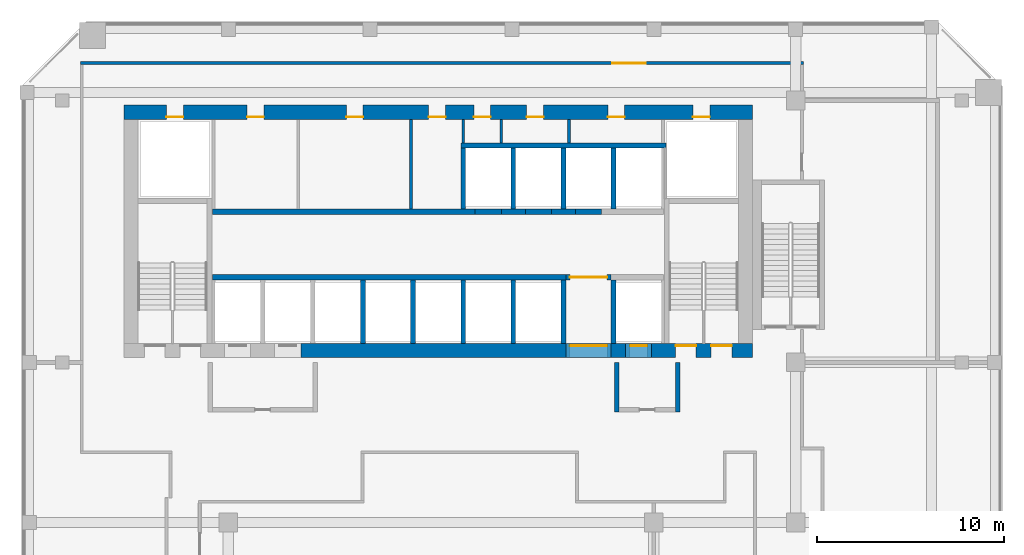
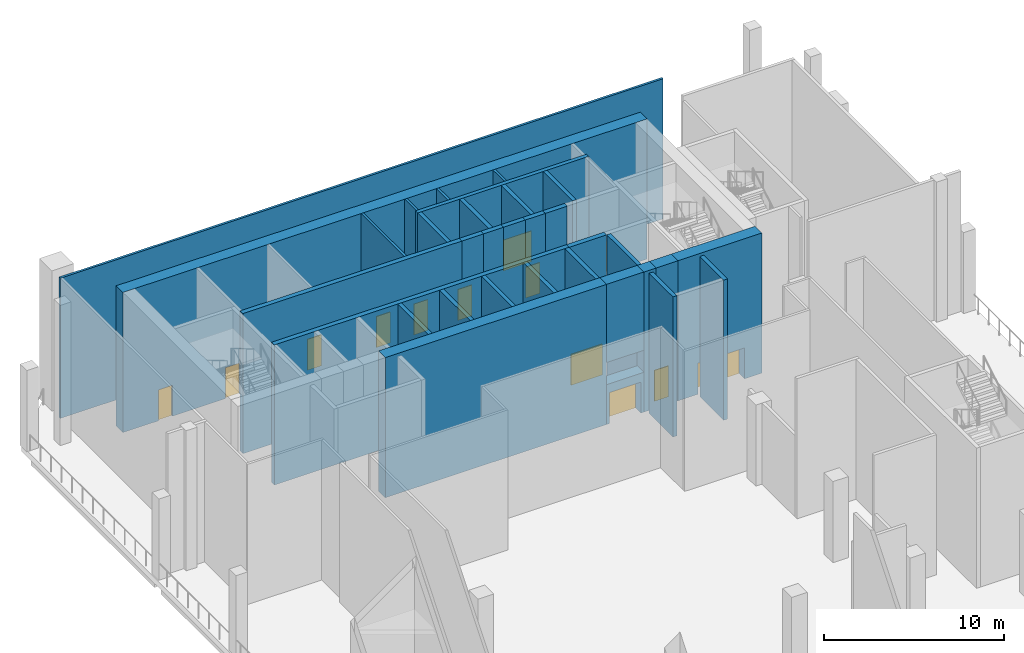
# One storey, part 4 of 12: 34 walls, 14 doors, 14 openings.
"""IFC4 building model written with IfcOpenShell, lengths in metres."""

from ifc_helpers import new_model, si_unit, direction, frame, frame_2d, origin, place, context, subcontext, project, spatial, rectangle, extrude, source, transform, mapped, material, layer, layer_set, type_object, element, fill, save


model = new_model("IFC4")

# Units and contexts
model_context = context("Model", 3, precision=1e-05, world=origin(), true_north=direction((0.0, 1.0)))
body_context = subcontext(model_context, "Body", "Model", "MODEL_VIEW")
ifc_project = project(units=[si_unit("LENGTHUNIT", "METRE"), si_unit("AREAUNIT", "SQUARE_METRE"), si_unit("VOLUMEUNIT", "CUBIC_METRE"), si_unit("PLANEANGLEUNIT", "RADIAN"), si_unit("MASSUNIT", "GRAM", prefix="KILO")], contexts=[model_context])

# Site, building, storey
site_placement = place(None, origin())
site = spatial("IfcSite", under=ifc_project, at=site_placement, CompositionType="ELEMENT")
building_placement = place(site_placement, origin())
building = spatial("IfcBuilding", under=site, at=building_placement, Name="Kilnfold Tower and Market Hall", CompositionType="ELEMENT")
storey_placement = place(building_placement, frame((0.0, 0.0, 223.699951171875)))
storey = spatial("IfcBuildingStorey", under=building, at=storey_placement, Name="L55 Refuge Wind Floor", CompositionType="ELEMENT", Elevation=223.699951171875)

# Wall, opening, door
ifc_material_1 = material(Name="Gypsum board on steel studs", Category="steel")
ifc_layer_1 = layer(ifc_material_1, 0.14990234375)
ifc_layer_set_1 = layer_set([ifc_layer_1], Name="Gypsum board on steel studs")
wall_type_1 = type_object("IfcWallType", Name="WALL CORRIDOR 150", PredefinedType="PARTITIONING", material=ifc_layer_set_1)
wall_1_placement = place(storey_placement, frame((20.574951171875, 24.0, 0.0), z_axis=(0.0, 0.0, 1.0), x_axis=(-1.0, 0.0, 0.0)))
wall_1 = element("IfcWall", 1, at=wall_1_placement, inside=storey, type_object=wall_type_1, Name="Partition LY33.24", PredefinedType="PARTITIONING", context=body_context, shape_type="SweptSolid", body=[
    extrude(rectangle(XDim=38.64990234375, YDim=0.14990234375, at=frame_2d((19.324951171875, 0.0))), origin(), (0.0, 0.0, 1.0), 9.5),
])
opening_1_placement = place(wall_1_placement, frame((8.410888671875, 0.0, 0.0)))
opening_1 = element("IfcOpeningElement", 2, at=opening_1_placement, cuts=wall_1, Name="Opening D5", PredefinedType="OPENING", context=body_context, shape_type="SweptSolid", body=[
    extrude(rectangle(XDim=1.800048828125, YDim=2.10009765625, at=frame_2d((0.89990234375, 1.050048828125))), frame((0.0, 0.0849609375, 0.0), z_axis=(0.0, -1.0, 0.0), x_axis=(1.0, 0.0, 0.0)), (0.0, 0.0, 1.0), 0.169921875),
])
ifc_material_2 = material(Name="Timber veneer door leaf in steel frame", Category="steel")
door_type_1 = type_object("IfcDoorType", Name="DOOR DOUBLE 1800 X2100", OperationType="NOTDEFINED", PredefinedType="DOOR", material=ifc_material_2)
door_1_placement = place(opening_1_placement, origin())
door_1 = element("IfcDoor", 3, at=door_1_placement, inside=storey, type_object=door_type_1, Name="Door D5", OperationType="DOUBLE_DOOR_SINGLE_SWING", OverallHeight=2.10009765625, OverallWidth=1.800048828125, PredefinedType="DOOR", context=body_context, shape_type="SweptSolid", body=[
    extrude(rectangle(XDim=1.800048828125, YDim=2.10009765625, at=frame_2d((0.89990234375, 1.050048828125))), frame((0.0, 0.02490234375, 0.0), z_axis=(0.0, -1.0, 0.0), x_axis=(1.0, 0.0, 0.0)), (0.0, 0.0, 1.0), 0.050048828125),
])
fill(opening_1, door_1)

# Walls
ifc_material_3 = material(Name="Concrete C60", Category="concrete")
ifc_layer_2 = layer(ifc_material_3, 0.300048828125)
ifc_layer_set_2 = layer_set([ifc_layer_2], Name="Concrete C60")
wall_type_2 = type_object("IfcWallType", Name="CORE WALL 300 C60", PredefinedType="SHEAR", material=ifc_layer_set_2)
shared_shape_1 = source(origin(), body_context, "Body", "SweptSolid", [
    extrude(rectangle(XDim=18.89990234375, YDim=0.300048828125, at=frame_2d((9.449951171875, 0.0))), origin(), (0.0, 0.0, 1.0), 9.5),
])
wall_2_placement = place(storey_placement, frame((-11.010009765625, 12.550048828125, 0.0), z_axis=(0.0, 0.0, 1.0), x_axis=(1.0, 0.0, 0.0)))
element("IfcWall", 4, at=wall_2_placement, inside=storey, type_object=wall_type_2, Name="Core spine wall", PredefinedType="SHEAR", context=body_context, shape_type="MappedRepresentation", body=[
    mapped(shared_shape_1, transform((0.0, 0.0, 0.0))),
])
shared_shape_2 = source(origin(), body_context, "Body", "SweptSolid", [
    extrude(rectangle(XDim=1.280029296875, YDim=0.300048828125, at=frame_2d((0.64013671875, 0.0))), origin(), (0.0, 0.0, 1.0), 9.5),
])
wall_3_placement = place(storey_placement, frame((4.429931640625, 16.050048828125, 0.0), z_axis=(0.0, 0.0, 1.0), x_axis=(1.0, 0.0, 0.0)))
element("IfcWall", 5, at=wall_3_placement, inside=storey, type_object=wall_type_2, Name="Core spine wall", PredefinedType="SHEAR", context=body_context, shape_type="MappedRepresentation", body=[
    mapped(shared_shape_2, transform((0.0, 0.0, 0.0))),
])
shared_shape_3 = source(origin(), body_context, "Body", "SweptSolid", [
    extrude(rectangle(XDim=1.27978515625, YDim=0.300048828125, at=frame_2d((0.639892578125, 0.0))), origin(), (0.0, 0.0, 1.0), 9.5),
])
wall_4_placement = place(storey_placement, frame((7.110107421875, 16.050048828125, 0.0), z_axis=(0.0, 0.0, 1.0), x_axis=(1.0, 0.0, 0.0)))
element("IfcWall", 6, at=wall_4_placement, inside=storey, type_object=wall_type_2, Name="Core spine wall", PredefinedType="SHEAR", context=body_context, shape_type="MappedRepresentation", body=[
    mapped(shared_shape_3, transform((0.0, 0.0, 0.0))),
])
ifc_material_4 = material(Name="Concrete C60", Category="concrete")
ifc_layer_3 = layer(ifc_material_4, 0.75)
ifc_layer_set_3 = layer_set([ifc_layer_3], Name="Concrete C60")
wall_type_3 = type_object("IfcWallType", Name="CORE WALL 750 C60", PredefinedType="SHEAR", material=ifc_layer_set_3)
shared_shape_4 = source(origin(), body_context, "Body", "SweptSolid", [
    extrude(rectangle(XDim=14.179931640625, YDim=0.75, at=frame_2d((7.08984375, 0.0))), origin(), (0.0, 0.0, 1.0), 9.5),
])
wall_5_placement = place(storey_placement, frame((-6.2900390625, 8.625, 0.0), z_axis=(0.0, 0.0, 1.0), x_axis=(1.0, 0.0, 0.0)))
element("IfcWall", 7, at=wall_5_placement, inside=storey, type_object=wall_type_3, Name="Core outer wall south", PredefinedType="SHEAR", context=body_context, shape_type="MappedRepresentation", body=[
    mapped(shared_shape_4, transform((0.0, 0.0, 0.0))),
])
shared_shape_5 = source(origin(), body_context, "Body", "SweptSolid", [
    extrude(rectangle(XDim=0.780029296875, YDim=0.75, at=frame_2d((0.39013671875, 0.0))), origin(), (0.0, 0.0, 1.0), 9.5),
])
wall_6_placement = place(storey_placement, frame((10.2900390625, 8.625, 0.0), z_axis=(0.0, 0.0, 1.0), x_axis=(1.0, 0.0, 0.0)))
element("IfcWall", 8, at=wall_6_placement, inside=storey, type_object=wall_type_3, Name="Core outer wall south", PredefinedType="SHEAR", context=body_context, shape_type="MappedRepresentation", body=[
    mapped(shared_shape_5, transform((0.0, 0.0, 0.0))),
])

# Wall, openings, doors
shared_shape_6 = source(origin(), body_context, "Body", "SweptSolid", [
    extrude(rectangle(XDim=5.380126953125, YDim=0.75, at=frame_2d((2.68994140625, 0.0))), origin(), (0.0, 0.0, 1.0), 9.5),
])
wall_7_placement = place(storey_placement, frame((12.469970703125, 8.625, 0.0), z_axis=(0.0, 0.0, 1.0), x_axis=(1.0, 0.0, 0.0)))
wall_7 = element("IfcWall", 9, at=wall_7_placement, inside=storey, type_object=wall_type_3, Name="Core outer wall south", PredefinedType="SHEAR", context=body_context, shape_type="MappedRepresentation", body=[
    mapped(shared_shape_6, transform((0.0, 0.0, 0.0))),
])
opening_2_placement = place(wall_7_placement, frame((1.280029296875, 0.0, 0.0)))
opening_2 = element("IfcOpeningElement", 10, at=opening_2_placement, cuts=wall_7, Name="Opening SD3", PredefinedType="OPENING", context=body_context, shape_type="SweptSolid", body=[
    extrude(rectangle(XDim=1.10009765625, YDim=2.10009765625, at=frame_2d((0.550048828125, 1.050048828125))), frame((0.0, 0.385009765625, 0.0), z_axis=(0.0, -1.0, 0.0), x_axis=(1.0, 0.0, 0.0)), (0.0, 0.0, 1.0), 0.77001953125),
])
opening_3_placement = place(wall_7_placement, frame((3.179931640625, 0.0, 0.0)))
opening_3 = element("IfcOpeningElement", 11, at=opening_3_placement, cuts=wall_7, Name="Opening SD3", PredefinedType="OPENING", context=body_context, shape_type="SweptSolid", body=[
    extrude(rectangle(XDim=1.10009765625, YDim=2.10009765625, at=frame_2d((0.550048828125, 1.050048828125))), frame((0.0, 0.385009765625, 0.0), z_axis=(0.0, -1.0, 0.0), x_axis=(1.0, 0.0, 0.0)), (0.0, 0.0, 1.0), 0.77001953125),
])
ifc_material_5 = material(Name="Steel door set with fire-resisting leaf", Category="steel")
door_type_2 = type_object("IfcDoorType", Name="STAIR REFUGE DOOR 1100X2100", OperationType="NOTDEFINED", PredefinedType="DOOR", material=ifc_material_5)
door_2_placement = place(opening_2_placement, origin())
door_2 = element("IfcDoor", 12, at=door_2_placement, inside=storey, type_object=door_type_2, Name="Exit stair ST2 door from refuge", OperationType="SINGLE_SWING_RIGHT", OverallHeight=2.10009765625, OverallWidth=1.10009765625, PredefinedType="DOOR", context=body_context, shape_type="SweptSolid", body=[
    extrude(rectangle(XDim=1.10009765625, YDim=2.10009765625, at=frame_2d((0.550048828125, 1.050048828125))), frame((0.0, 0.27978515625, 0.0), z_axis=(0.0, -1.0, 0.0), x_axis=(1.0, 0.0, 0.0)), (0.0, 0.0, 1.0), 0.050048828125),
])
fill(opening_2, door_2)
door_3_placement = place(opening_3_placement, origin())
door_3 = element("IfcDoor", 13, at=door_3_placement, inside=storey, type_object=door_type_2, Name="Exit stair ST2 door to refuge", OperationType="SINGLE_SWING_LEFT", OverallHeight=2.10009765625, OverallWidth=1.10009765625, PredefinedType="DOOR", context=body_context, shape_type="SweptSolid", body=[
    extrude(rectangle(XDim=1.10009765625, YDim=2.10009765625, at=frame_2d((0.550048828125, 1.050048828125))), frame((0.0, 0.27978515625, 0.0), z_axis=(0.0, -1.0, 0.0), x_axis=(1.0, 0.0, 0.0)), (0.0, 0.0, 1.0), 0.050048828125),
])
fill(opening_3, door_3)

shared_shape_7 = source(origin(), body_context, "Body", "SweptSolid", [
    extrude(rectangle(XDim=33.60009765625, YDim=0.75, at=frame_2d((16.800048828125, 0.0))), origin(), (0.0, 0.0, 1.0), 9.5),
])
wall_8_placement = place(storey_placement, frame((-15.75, 21.375, 0.0), z_axis=(0.0, 0.0, 1.0), x_axis=(1.0, 0.0, 0.0)))
wall_8 = element("IfcWall", 14, at=wall_8_placement, inside=storey, type_object=wall_type_3, Name="Core outer wall north", PredefinedType="SHEAR", context=body_context, shape_type="MappedRepresentation", body=[
    mapped(shared_shape_7, transform((0.0, 0.0, 0.0))),
])
opening_4_placement = place(wall_8_placement, frame((6.581298828125, 0.0, 0.0)))
opening_4 = element("IfcOpeningElement", 15, at=opening_4_placement, cuts=wall_8, Name="Opening KD1", PredefinedType="OPENING", context=body_context, shape_type="SweptSolid", body=[
    extrude(rectangle(XDim=0.89990234375, YDim=2.10009765625, at=frame_2d((0.449951171875, 1.050048828125))), frame((0.0, 0.385009765625, 0.0), z_axis=(0.0, -1.0, 0.0), x_axis=(1.0, 0.0, 0.0)), (0.0, 0.0, 1.0), 0.77001953125),
])
opening_5_placement = place(wall_8_placement, frame((11.8876953125, 0.0, 0.0)))
opening_5 = element("IfcOpeningElement", 16, at=opening_5_placement, cuts=wall_8, Name="Opening KD1", PredefinedType="OPENING", context=body_context, shape_type="SweptSolid", body=[
    extrude(rectangle(XDim=0.89990234375, YDim=2.10009765625, at=frame_2d((0.449951171875, 1.050048828125))), frame((0.0, 0.385009765625, 0.0), z_axis=(0.0, -1.0, 0.0), x_axis=(1.0, 0.0, 0.0)), (0.0, 0.0, 1.0), 0.77001953125),
])
opening_6_placement = place(wall_8_placement, frame((16.29638671875, 0.0, 0.0)))
opening_6 = element("IfcOpeningElement", 17, at=opening_6_placement, cuts=wall_8, Name="Opening KD1", PredefinedType="OPENING", context=body_context, shape_type="SweptSolid", body=[
    extrude(rectangle(XDim=0.89990234375, YDim=2.10009765625, at=frame_2d((0.449951171875, 1.050048828125))), frame((0.0, 0.385009765625, 0.0), z_axis=(0.0, -1.0, 0.0), x_axis=(1.0, 0.0, 0.0)), (0.0, 0.0, 1.0), 0.77001953125),
])
opening_7_placement = place(wall_8_placement, frame((18.70849609375, 0.0, 0.0)))
opening_7 = element("IfcOpeningElement", 18, at=opening_7_placement, cuts=wall_8, Name="Opening KD1", PredefinedType="OPENING", context=body_context, shape_type="SweptSolid", body=[
    extrude(rectangle(XDim=0.89990234375, YDim=2.10009765625, at=frame_2d((0.449951171875, 1.050048828125))), frame((0.0, 0.385009765625, 0.0), z_axis=(0.0, -1.0, 0.0), x_axis=(1.0, 0.0, 0.0)), (0.0, 0.0, 1.0), 0.77001953125),
])
opening_8_placement = place(wall_8_placement, frame((21.535888671875, 0.0, 0.0)))
opening_8 = element("IfcOpeningElement", 19, at=opening_8_placement, cuts=wall_8, Name="Opening KD1", PredefinedType="OPENING", context=body_context, shape_type="SweptSolid", body=[
    extrude(rectangle(XDim=0.89990234375, YDim=2.10009765625, at=frame_2d((0.449951171875, 1.050048828125))), frame((0.0, 0.385009765625, 0.0), z_axis=(0.0, -1.0, 0.0), x_axis=(1.0, 0.0, 0.0)), (0.0, 0.0, 1.0), 0.77001953125),
])
opening_9_placement = place(wall_8_placement, frame((25.87744140625, 0.0, 0.0)))
opening_9 = element("IfcOpeningElement", 20, at=opening_9_placement, cuts=wall_8, Name="Opening KD1", PredefinedType="OPENING", context=body_context, shape_type="SweptSolid", body=[
    extrude(rectangle(XDim=0.89990234375, YDim=2.10009765625, at=frame_2d((0.449951171875, 1.050048828125))), frame((0.0, 0.385009765625, 0.0), z_axis=(0.0, -1.0, 0.0), x_axis=(1.0, 0.0, 0.0)), (0.0, 0.0, 1.0), 0.77001953125),
])
opening_10_placement = place(wall_8_placement, frame((2.27490234375, 0.0, 0.0)))
opening_10 = element("IfcOpeningElement", 21, at=opening_10_placement, cuts=wall_8, Name="Opening KD1", PredefinedType="OPENING", context=body_context, shape_type="SweptSolid", body=[
    extrude(rectangle(XDim=0.89990234375, YDim=2.10009765625, at=frame_2d((0.449951171875, 1.050048828125))), frame((0.0, 0.385009765625, 0.0), z_axis=(0.0, -1.0, 0.0), x_axis=(1.0, 0.0, 0.0)), (0.0, 0.0, 1.0), 0.77001953125),
])
opening_11_placement = place(wall_8_placement, frame((30.425048828125, 0.0, 0.0)))
opening_11 = element("IfcOpeningElement", 22, at=opening_11_placement, cuts=wall_8, Name="Opening KD1", PredefinedType="OPENING", context=body_context, shape_type="SweptSolid", body=[
    extrude(rectangle(XDim=0.89990234375, YDim=2.10009765625, at=frame_2d((0.449951171875, 1.050048828125))), frame((0.0, 0.385009765625, 0.0), z_axis=(0.0, -1.0, 0.0), x_axis=(1.0, 0.0, 0.0)), (0.0, 0.0, 1.0), 0.77001953125),
])
ifc_material_6 = material(Name="Steel door set with fire-resisting leaf", Category="steel")
door_type_3 = type_object("IfcDoorType", Name="SERVICE DOOR 900X2100", OperationType="NOTDEFINED", PredefinedType="DOOR", material=ifc_material_6)
door_4_placement = place(opening_4_placement, origin())
door_4 = element("IfcDoor", 23, at=door_4_placement, inside=storey, type_object=door_type_3, Name="Core service door", OperationType="SINGLE_SWING_RIGHT", OverallHeight=2.10009765625, OverallWidth=0.89990234375, PredefinedType="DOOR", context=body_context, shape_type="SweptSolid", body=[
    extrude(rectangle(XDim=0.89990234375, YDim=2.10009765625, at=frame_2d((0.449951171875, 1.050048828125))), frame((0.0, -0.22998046875, 0.0), z_axis=(0.0, -1.0, 0.0), x_axis=(1.0, 0.0, 0.0)), (0.0, 0.0, 1.0), 0.050048828125),
])
fill(opening_4, door_4)
door_5_placement = place(opening_5_placement, origin())
door_5 = element("IfcDoor", 24, at=door_5_placement, inside=storey, type_object=door_type_3, Name="Core service door", OperationType="SINGLE_SWING_LEFT", OverallHeight=2.10009765625, OverallWidth=0.89990234375, PredefinedType="DOOR", context=body_context, shape_type="SweptSolid", body=[
    extrude(rectangle(XDim=0.89990234375, YDim=2.10009765625, at=frame_2d((0.449951171875, 1.050048828125))), frame((0.0, -0.22998046875, 0.0), z_axis=(0.0, -1.0, 0.0), x_axis=(1.0, 0.0, 0.0)), (0.0, 0.0, 1.0), 0.050048828125),
])
fill(opening_5, door_5)
door_6_placement = place(opening_6_placement, origin())
door_6 = element("IfcDoor", 25, at=door_6_placement, inside=storey, type_object=door_type_3, Name="Core service door", OperationType="SINGLE_SWING_RIGHT", OverallHeight=2.10009765625, OverallWidth=0.89990234375, PredefinedType="DOOR", context=body_context, shape_type="SweptSolid", body=[
    extrude(rectangle(XDim=0.89990234375, YDim=2.10009765625, at=frame_2d((0.449951171875, 1.050048828125))), frame((0.0, -0.22998046875, 0.0), z_axis=(0.0, -1.0, 0.0), x_axis=(1.0, 0.0, 0.0)), (0.0, 0.0, 1.0), 0.050048828125),
])
fill(opening_6, door_6)
door_7_placement = place(opening_7_placement, origin())
door_7 = element("IfcDoor", 26, at=door_7_placement, inside=storey, type_object=door_type_3, Name="Core service door", OperationType="SINGLE_SWING_LEFT", OverallHeight=2.10009765625, OverallWidth=0.89990234375, PredefinedType="DOOR", context=body_context, shape_type="SweptSolid", body=[
    extrude(rectangle(XDim=0.89990234375, YDim=2.10009765625, at=frame_2d((0.449951171875, 1.050048828125))), frame((0.0, -0.22998046875, 0.0), z_axis=(0.0, -1.0, 0.0), x_axis=(1.0, 0.0, 0.0)), (0.0, 0.0, 1.0), 0.050048828125),
])
fill(opening_7, door_7)
door_8_placement = place(opening_8_placement, origin())
door_8 = element("IfcDoor", 27, at=door_8_placement, inside=storey, type_object=door_type_3, Name="Core service door", OperationType="SINGLE_SWING_RIGHT", OverallHeight=2.10009765625, OverallWidth=0.89990234375, PredefinedType="DOOR", context=body_context, shape_type="SweptSolid", body=[
    extrude(rectangle(XDim=0.89990234375, YDim=2.10009765625, at=frame_2d((0.449951171875, 1.050048828125))), frame((0.0, -0.22998046875, 0.0), z_axis=(0.0, -1.0, 0.0), x_axis=(1.0, 0.0, 0.0)), (0.0, 0.0, 1.0), 0.050048828125),
])
fill(opening_8, door_8)
door_9_placement = place(opening_9_placement, origin())
door_9 = element("IfcDoor", 28, at=door_9_placement, inside=storey, type_object=door_type_3, Name="Core service door", OperationType="SINGLE_SWING_LEFT", OverallHeight=2.10009765625, OverallWidth=0.89990234375, PredefinedType="DOOR", context=body_context, shape_type="SweptSolid", body=[
    extrude(rectangle(XDim=0.89990234375, YDim=2.10009765625, at=frame_2d((0.449951171875, 1.050048828125))), frame((0.0, -0.22998046875, 0.0), z_axis=(0.0, -1.0, 0.0), x_axis=(1.0, 0.0, 0.0)), (0.0, 0.0, 1.0), 0.050048828125),
])
fill(opening_9, door_9)
door_10_placement = place(opening_10_placement, origin())
door_10 = element("IfcDoor", 29, at=door_10_placement, inside=storey, type_object=door_type_3, Name="Electrical riser access door", OperationType="SINGLE_SWING_RIGHT", OverallHeight=2.10009765625, OverallWidth=0.89990234375, PredefinedType="DOOR", context=body_context, shape_type="SweptSolid", body=[
    extrude(rectangle(XDim=0.89990234375, YDim=2.10009765625, at=frame_2d((0.449951171875, 1.050048828125))), frame((0.0, -0.22998046875, 0.0), z_axis=(0.0, -1.0, 0.0), x_axis=(1.0, 0.0, 0.0)), (0.0, 0.0, 1.0), 0.050048828125),
])
fill(opening_10, door_10)
door_11_placement = place(opening_11_placement, origin())
door_11 = element("IfcDoor", 30, at=door_11_placement, inside=storey, type_object=door_type_3, Name="Mechanical riser access door", OperationType="SINGLE_SWING_LEFT", OverallHeight=2.10009765625, OverallWidth=0.89990234375, PredefinedType="DOOR", context=body_context, shape_type="SweptSolid", body=[
    extrude(rectangle(XDim=0.89990234375, YDim=2.10009765625, at=frame_2d((0.449951171875, 1.050048828125))), frame((0.0, -0.22998046875, 0.0), z_axis=(0.0, -1.0, 0.0), x_axis=(1.0, 0.0, 0.0)), (0.0, 0.0, 1.0), 0.050048828125),
])
fill(opening_11, door_11)

# Walls
shared_shape_8 = source(origin(), body_context, "Body", "SweptSolid", [
    extrude(rectangle(XDim=14.0400390625, YDim=0.300048828125, at=frame_2d((7.02001953125, 0.0))), origin(), (0.0, 0.0, 1.0), 9.5),
])
wall_9_placement = place(storey_placement, frame((-11.010009765625, 16.050048828125, 0.0), z_axis=(0.0, 0.0, 1.0), x_axis=(1.0, 0.0, 0.0)))
element("IfcWall", 31, at=wall_9_placement, inside=storey, type_object=wall_type_2, Name="Core spine wall", PredefinedType="SHEAR", context=body_context, shape_type="MappedRepresentation", body=[
    mapped(shared_shape_8, transform((0.0, 0.0, 0.0))),
])
shared_shape_9 = source(origin(), body_context, "Body", "SweptSolid", [
    extrude(rectangle(XDim=1.39990234375, YDim=0.75, at=frame_2d((0.699951171875, 0.0))), origin(), (0.0, 0.0, 1.0), 5.550048828125),
])
wall_10_placement = place(storey_placement, frame((11.070068359375, 8.625, 3.949951171875), z_axis=(0.0, 0.0, 1.0), x_axis=(1.0, 0.0, 0.0)))
element("IfcWall", 32, at=wall_10_placement, inside=storey, type_object=wall_type_3, Name="Core wall over opening", PredefinedType="SHEAR", context=body_context, shape_type="MappedRepresentation", body=[
    mapped(shared_shape_9, transform((0.0, 0.0, 0.0))),
])
shared_shape_10 = source(origin(), body_context, "Body", "SweptSolid", [
    extrude(rectangle(XDim=2.400146484375, YDim=0.75, at=frame_2d((1.2001953125, 0.0))), origin(), (0.0, 0.0, 1.0), 5.300048828125),
])
wall_11_placement = place(storey_placement, frame((7.889892578125, 8.625, 4.199951171875), z_axis=(0.0, 0.0, 1.0), x_axis=(1.0, 0.0, 0.0)))
element("IfcWall", 33, at=wall_11_placement, inside=storey, type_object=wall_type_3, Name="Core wall over opening", PredefinedType="SHEAR", context=body_context, shape_type="MappedRepresentation", body=[
    mapped(shared_shape_10, transform((0.0, 0.0, 0.0))),
])

# Wall, opening, door
ifc_material_7 = material(Name="Gypsum shaft wall system")
ifc_layer_4 = layer(ifc_material_7, 0.300048828125)
ifc_layer_set_4 = layer_set([ifc_layer_4], Name="Gypsum shaft wall system")
wall_type_4 = type_object("IfcWallType", Name="SHAFT WALL 300", PredefinedType="PARTITIONING", material=ifc_layer_set_4)
shared_shape_11 = source(origin(), body_context, "Body", "SweptSolid", [
    extrude(rectangle(XDim=2.400146484375, YDim=0.300048828125, at=frame_2d((1.2001953125, 0.0))), origin(), (0.0, 0.0, 1.0), 9.5),
])
wall_12_placement = place(storey_placement, frame((7.889892578125, 12.550048828125, 0.0), z_axis=(0.0, 0.0, 1.0), x_axis=(1.0, 0.0, 0.0)))
wall_12 = element("IfcWall", 34, at=wall_12_placement, inside=storey, type_object=wall_type_4, Name="Lift shaft front wall", PredefinedType="PARTITIONING", context=body_context, shape_type="MappedRepresentation", body=[
    mapped(shared_shape_11, transform((0.0, 0.0, 0.0))),
])
opening_12_placement = place(wall_12_placement, frame((0.199951171875, 0.0, 0.0)))
opening_12 = element("IfcOpeningElement", 35, at=opening_12_placement, cuts=wall_12, Name="Opening VD2", PredefinedType="OPENING", context=body_context, shape_type="SweptSolid", body=[
    extrude(rectangle(XDim=2.0, YDim=2.10009765625, at=frame_2d((1.0, 1.050048828125))), frame((0.0, 0.16015625, 0.0), z_axis=(0.0, -1.0, 0.0), x_axis=(1.0, 0.0, 0.0)), (0.0, 0.0, 1.0), 0.320068359375),
])
ifc_material_8 = material(Name="Steel door set with fire-resisting leaf", Category="steel")
door_type_4 = type_object("IfcDoorType", Name="LIFT LOBBY ENTRANCE DOOR 2000X2100", OperationType="NOTDEFINED", PredefinedType="DOOR", material=ifc_material_8)
door_12_placement = place(opening_12_placement, origin())
door_12 = element("IfcDoor", 36, at=door_12_placement, inside=storey, type_object=door_type_4, Name="Lift lobby entrance door", OperationType="DOUBLE_DOOR_SINGLE_SWING", OverallHeight=2.10009765625, OverallWidth=2.0, PredefinedType="DOOR", context=body_context, shape_type="SweptSolid", body=[
    extrude(rectangle(XDim=2.0, YDim=2.10009765625, at=frame_2d((1.0, 1.050048828125))), frame((0.0, 0.02490234375, 0.0), z_axis=(0.0, -1.0, 0.0), x_axis=(1.0, 0.0, 0.0)), (0.0, 0.0, 1.0), 0.050048828125),
])
fill(opening_12, door_12)

# Walls
shared_shape_12 = source(origin(), body_context, "Body", "SweptSolid", [
    extrude(rectangle(XDim=1.39990234375, YDim=0.300048828125, at=frame_2d((0.699951171875, 0.0))), origin(), (0.0, 0.0, 1.0), 9.5),
])
wall_13_placement = place(storey_placement, frame((3.030029296875, 16.050048828125, 0.0), z_axis=(0.0, 0.0, 1.0), x_axis=(1.0, 0.0, 0.0)))
element("IfcWall", 37, at=wall_13_placement, inside=storey, type_object=wall_type_4, Name="Lift shaft front wall", PredefinedType="PARTITIONING", context=body_context, shape_type="MappedRepresentation", body=[
    mapped(shared_shape_12, transform((0.0, 0.0, 0.0))),
])
shared_shape_13 = source(origin(), body_context, "Body", "SweptSolid", [
    extrude(rectangle(XDim=1.400146484375, YDim=0.300048828125, at=frame_2d((0.7001953125, 0.0))), origin(), (0.0, 0.0, 1.0), 9.5),
])
for number, where, z_axis, x_axis, name in (
    (38, (5.7099609375, 16.050048828125, 0.0), (0.0, 0.0, 1.0), (1.0, 0.0, 0.0), "Lift shaft front wall"),
    (39, (8.389892578125, 16.050048828125, 0.0), (0.0, 0.0, 1.0), (1.0, 0.0, 0.0), "Lift shaft front wall"),
):
    element("IfcWall", number, at=place(storey_placement, frame(where, z_axis=z_axis, x_axis=x_axis)), inside=storey, type_object=wall_type_4, Name=name, PredefinedType="PARTITIONING", context=body_context, shape_type="MappedRepresentation", body=[
        mapped(shared_shape_13, transform((0.0, 0.0, 0.0))),
    ])
ifc_material_9 = material(Name="Gypsum shaft wall system")
ifc_layer_5 = layer(ifc_material_9, 0.25)
ifc_layer_set_5 = layer_set([ifc_layer_5], Name="Gypsum shaft wall system")
wall_type_5 = type_object("IfcWallType", Name="LOBBY WALL 250", PredefinedType="PARTITIONING", material=ifc_layer_set_5)
shared_shape_14 = source(origin(), body_context, "Body", "SweptSolid", [
    extrude(rectangle(XDim=2.64990234375, YDim=0.25, at=frame_2d((1.324951171875, 0.0))), origin(), (0.0, 0.0, 1.0), 9.5),
])
for number, where, z_axis, x_axis, name in (
    (40, (10.60498046875, 5.35009765625, 0.0), (0.0, 0.0, 1.0), (0.0, 1.0, 0.0), "Firefighting lobby wall"),
    (41, (13.85498046875, 5.35009765625, 0.0), (0.0, 0.0, 1.0), (0.0, 1.0, 0.0), "Firefighting lobby wall"),
):
    element("IfcWall", number, at=place(storey_placement, frame(where, z_axis=z_axis, x_axis=x_axis)), inside=storey, type_object=wall_type_5, Name=name, PredefinedType="PARTITIONING", context=body_context, shape_type="MappedRepresentation", body=[
        mapped(shared_shape_14, transform((0.0, 0.0, 0.0))),
    ])
ifc_material_10 = material(Name="Gypsum shaft wall system")
ifc_layer_6 = layer(ifc_material_10, 0.25)
ifc_layer_set_6 = layer_set([ifc_layer_6], Name="Gypsum shaft wall system")
wall_type_6 = type_object("IfcWallType", Name="SHAFT WALL 250", PredefinedType="PARTITIONING", material=ifc_layer_set_6)
shared_shape_15 = source(origin(), body_context, "Body", "SweptSolid", [
    extrude(rectangle(XDim=3.275146484375, YDim=0.25, at=frame_2d((1.6376953125, 0.0))), origin(), (0.0, 0.0, 1.0), 9.5),
])
for number, where, z_axis, x_axis, name in (
    (42, (10.429931640625, 16.199951171875, 0.0), (0.0, 0.0, 1.0), (0.0, 1.0, 0.0), "Lift shaft wall"),
    (43, (2.389892578125, 16.199951171875, 0.0), (0.0, 0.0, 1.0), (0.0, 1.0, 0.0), "Lift shaft wall"),
    (44, (5.070068359375, 16.199951171875, 0.0), (0.0, 0.0, 1.0), (0.0, 1.0, 0.0), "Lift shaft wall"),
    (45, (7.75, 16.199951171875, 0.0), (0.0, 0.0, 1.0), (0.0, 1.0, 0.0), "Lift shaft wall"),
):
    element("IfcWall", number, at=place(storey_placement, frame(where, z_axis=z_axis, x_axis=x_axis)), inside=storey, type_object=wall_type_6, Name=name, PredefinedType="PARTITIONING", context=body_context, shape_type="MappedRepresentation", body=[
        mapped(shared_shape_15, transform((0.0, 0.0, 0.0))),
    ])
shared_shape_16 = source(origin(), body_context, "Body", "SweptSolid", [
    extrude(rectangle(XDim=3.39990234375, YDim=0.25, at=frame_2d((1.699951171875, 0.0))), origin(), (0.0, 0.0, 1.0), 9.5),
])
for number, where, z_axis, x_axis, name in (
    (46, (10.429931640625, 9.0, 0.0), (0.0, 0.0, 1.0), (0.0, 1.0, 0.0), "Lift shaft wall"),
    (47, (2.389892578125, 9.0, 0.0), (0.0, 0.0, 1.0), (0.0, 1.0, 0.0), "Lift shaft wall"),
    (48, (5.070068359375, 9.0, 0.0), (0.0, 0.0, 1.0), (0.0, 1.0, 0.0), "Lift shaft wall"),
    (49, (7.75, 9.0, 0.0), (0.0, 0.0, 1.0), (0.0, 1.0, 0.0), "Lift shaft wall"),
    (50, (-0.2900390625, 9.0, 0.0), (0.0, 0.0, 1.0), (0.0, 1.0, 0.0), "Lift shaft wall"),
    (51, (-2.969970703125, 9.0, 0.0), (0.0, 0.0, 1.0), (0.0, 1.0, 0.0), "Lift shaft wall"),
):
    element("IfcWall", number, at=place(storey_placement, frame(where, z_axis=z_axis, x_axis=x_axis)), inside=storey, type_object=wall_type_6, Name=name, PredefinedType="PARTITIONING", context=body_context, shape_type="MappedRepresentation", body=[
        mapped(shared_shape_16, transform((0.0, 0.0, 0.0))),
    ])
ifc_material_11 = material(Name="Gypsum shaft wall system")
ifc_layer_7 = layer(ifc_material_11, 0.14990234375)
ifc_layer_set_7 = layer_set([ifc_layer_7], Name="Gypsum shaft wall system")
wall_type_7 = type_object("IfcWallType", Name="ROOM WALL 150", PredefinedType="PARTITIONING", material=ifc_layer_set_7)
shared_shape_17 = source(origin(), body_context, "Body", "SweptSolid", [
    extrude(rectangle(XDim=1.27490234375, YDim=0.14990234375, at=frame_2d((0.637451171875, 0.0))), origin(), (0.0, 0.0, 1.0), 9.5),
])
for number, where, z_axis, x_axis, name in (
    (52, (2.389892578125, 19.72509765625, 0.0), (0.0, 0.0, 1.0), (0.0, 1.0, 0.0), "Core room wall"),
    (53, (4.4267578125, 19.72509765625, 0.0), (0.0, 0.0, 1.0), (0.0, 1.0, 0.0), "Core room wall"),
    (54, (8.044921875, 19.72509765625, 0.0), (0.0, 0.0, 1.0), (0.0, 1.0, 0.0), "Core room wall"),
):
    element("IfcWall", number, at=place(storey_placement, frame(where, z_axis=z_axis, x_axis=x_axis)), inside=storey, type_object=wall_type_7, Name=name, PredefinedType="PARTITIONING", context=body_context, shape_type="MappedRepresentation", body=[
        mapped(shared_shape_17, transform((0.0, 0.0, 0.0))),
    ])

# Wall, opening, door
ifc_material_12 = material(Name="Gypsum shaft wall system")
ifc_layer_8 = layer(ifc_material_12, 0.75)
ifc_layer_set_8 = layer_set([ifc_layer_8], Name="Gypsum shaft wall system")
wall_type_8 = type_object("IfcWallType", Name="LOBBY WALL 750", PredefinedType="PARTITIONING", material=ifc_layer_set_8)
shared_shape_18 = source(origin(), body_context, "Body", "SweptSolid", [
    extrude(rectangle(XDim=1.39990234375, YDim=0.75, at=frame_2d((0.699951171875, 0.0))), origin(), (0.0, 0.0, 1.0), 2.699951171875),
])
wall_14_placement = place(storey_placement, frame((11.070068359375, 8.625, 0.0), z_axis=(0.0, 0.0, 1.0), x_axis=(1.0, 0.0, 0.0)))
wall_14 = element("IfcWall", 55, at=wall_14_placement, inside=storey, type_object=wall_type_8, Name="Core wall infill", PredefinedType="PARTITIONING", context=body_context, shape_type="MappedRepresentation", body=[
    mapped(shared_shape_18, transform((0.0, 0.0, 0.0))),
])
opening_13_placement = place(wall_14_placement, frame((0.25, 0.0, 0.0)))
opening_13 = element("IfcOpeningElement", 56, at=opening_13_placement, cuts=wall_14, Name="Opening LD1", PredefinedType="OPENING", context=body_context, shape_type="SweptSolid", body=[
    extrude(rectangle(XDim=0.89990234375, YDim=2.10009765625, at=frame_2d((0.449951171875, 1.050048828125))), frame((0.0, 0.385009765625, 0.0), z_axis=(0.0, -1.0, 0.0), x_axis=(1.0, 0.0, 0.0)), (0.0, 0.0, 1.0), 0.77001953125),
])
ifc_material_13 = material(Name="Steel door set with fire-resisting leaf", Category="steel")
door_type_5 = type_object("IfcDoorType", Name="FIREFIGHTING LANDING DOOR 900X2100", OperationType="NOTDEFINED", PredefinedType="DOOR", material=ifc_material_13)
door_13_placement = place(opening_13_placement, origin())
door_13 = element("IfcDoor", 57, at=door_13_placement, inside=storey, type_object=door_type_5, Name="Landing door FF3", OperationType="SLIDING_TO_LEFT", OverallHeight=2.10009765625, OverallWidth=0.89990234375, PredefinedType="DOOR", context=body_context, shape_type="SweptSolid", body=[
    extrude(rectangle(XDim=0.89990234375, YDim=2.10009765625, at=frame_2d((0.449951171875, 1.050048828125))), frame((0.0, 0.27978515625, 0.0), z_axis=(0.0, -1.0, 0.0), x_axis=(1.0, 0.0, 0.0)), (0.0, 0.0, 1.0), 0.050048828125),
])
fill(opening_13, door_13)

shared_shape_19 = source(origin(), body_context, "Body", "SweptSolid", [
    extrude(rectangle(XDim=2.400146484375, YDim=0.75, at=frame_2d((1.2001953125, 0.0))), origin(), (0.0, 0.0, 1.0), 2.699951171875),
])
wall_15_placement = place(storey_placement, frame((7.889892578125, 8.625, 0.0), z_axis=(0.0, 0.0, 1.0), x_axis=(1.0, 0.0, 0.0)))
wall_15 = element("IfcWall", 58, at=wall_15_placement, inside=storey, type_object=wall_type_8, Name="Core wall infill", PredefinedType="PARTITIONING", context=body_context, shape_type="MappedRepresentation", body=[
    mapped(shared_shape_19, transform((0.0, 0.0, 0.0))),
])
opening_14_placement = place(wall_15_placement, frame((0.199951171875, 0.0, 0.0)))
opening_14 = element("IfcOpeningElement", 59, at=opening_14_placement, cuts=wall_15, Name="Opening VD2", PredefinedType="OPENING", context=body_context, shape_type="SweptSolid", body=[
    extrude(rectangle(XDim=2.0, YDim=2.10009765625, at=frame_2d((1.0, 1.050048828125))), frame((0.0, 0.385009765625, 0.0), z_axis=(0.0, -1.0, 0.0), x_axis=(1.0, 0.0, 0.0)), (0.0, 0.0, 1.0), 0.77001953125),
])
door_14_placement = place(opening_14_placement, origin())
door_14 = element("IfcDoor", 60, at=door_14_placement, inside=storey, type_object=door_type_4, Name="Lift lobby entrance door", OperationType="DOUBLE_DOOR_SINGLE_SWING", OverallHeight=2.10009765625, OverallWidth=2.0, PredefinedType="DOOR", context=body_context, shape_type="SweptSolid", body=[
    extrude(rectangle(XDim=2.0, YDim=2.10009765625, at=frame_2d((1.0, 1.050048828125))), frame((0.0, 0.27978515625, 0.0), z_axis=(0.0, -1.0, 0.0), x_axis=(1.0, 0.0, 0.0)), (0.0, 0.0, 1.0), 0.050048828125),
])
fill(opening_14, door_14)

# Walls
shared_shape_20 = source(origin(), body_context, "Body", "SweptSolid", [
    extrude(rectangle(XDim=10.97021484375, YDim=0.25, at=frame_2d((5.485107421875, 0.0))), origin(), (0.0, 0.0, 1.0), 9.5),
])
wall_16_placement = place(storey_placement, frame((2.264892578125, 19.60009765625, 0.0), z_axis=(0.0, 0.0, 1.0), x_axis=(1.0, 0.0, 0.0)))
element("IfcWall", 61, at=wall_16_placement, inside=storey, type_object=wall_type_6, Name="Lift shaft wall", PredefinedType="PARTITIONING", context=body_context, shape_type="MappedRepresentation", body=[
    mapped(shared_shape_20, transform((0.0, 0.0, 0.0))),
])
shared_shape_21 = source(origin(), body_context, "Body", "SweptSolid", [
    extrude(rectangle(XDim=4.800048828125, YDim=0.14990234375, at=frame_2d((2.39990234375, 0.0))), origin(), (0.0, 0.0, 1.0), 9.5),
])
wall_17_placement = place(storey_placement, frame((-0.397216796875, 16.199951171875, 0.0), z_axis=(0.0, 0.0, 1.0), x_axis=(0.0, 1.0, 0.0)))
element("IfcWall", 62, at=wall_17_placement, inside=storey, type_object=wall_type_7, Name="Core room wall", PredefinedType="PARTITIONING", context=body_context, shape_type="MappedRepresentation", body=[
    mapped(shared_shape_21, transform((0.0, 0.0, 0.0))),
])

save(model, "model.ifc")
